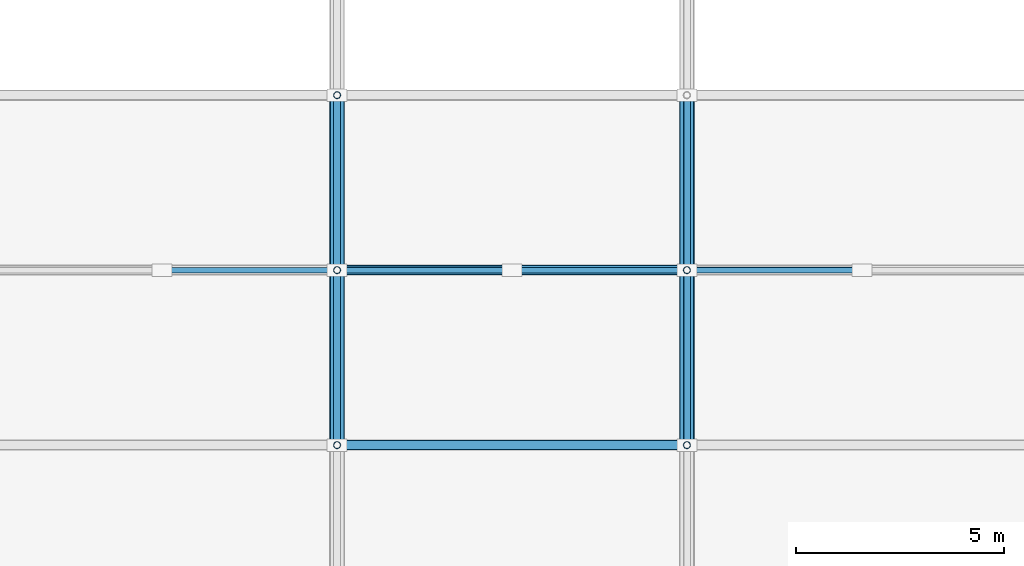
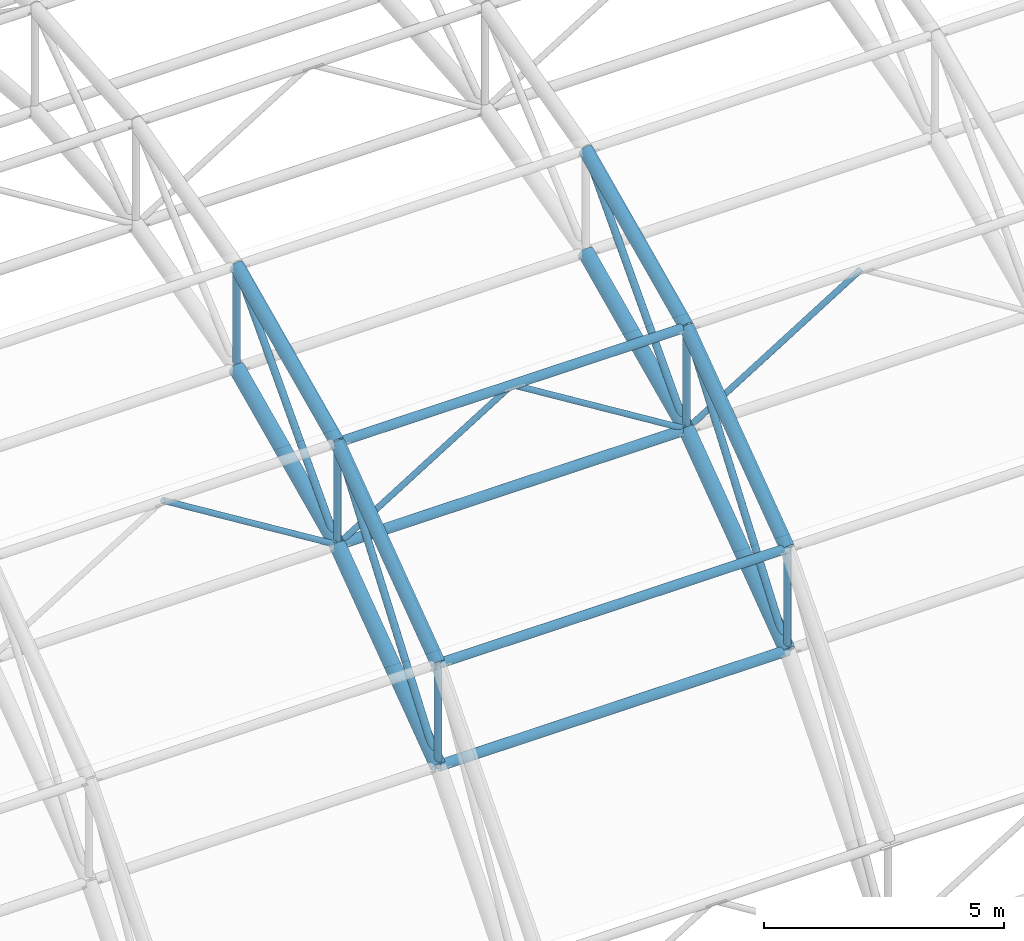
# One storey, part 23 of 103: 17 members, 8 beams.
"""IFC4 building model written with IfcOpenShell, lengths in metres."""

from ifc_helpers import new_model, si_unit, direction, frame, origin, origin_2d, place, context, subcontext, project, spatial, hollow_circle, extrude, material, material_profile, profile_set, type_object, element, save


model = new_model("IFC4")

# Units and contexts
model_context = context("Model", 3, precision=1e-05, world=origin(), true_north=direction((0.0, 1.0)))
body_context = subcontext(model_context, "Body", "Model", "MODEL_VIEW")
ifc_project = project(units=[si_unit("LENGTHUNIT", "METRE"), si_unit("AREAUNIT", "SQUARE_METRE"), si_unit("VOLUMEUNIT", "CUBIC_METRE"), si_unit("PLANEANGLEUNIT", "RADIAN"), si_unit("MASSUNIT", "GRAM", prefix="KILO")], contexts=[model_context])

# Site, building, storey
site_placement = place(None, origin())
site = spatial("IfcSite", under=ifc_project, at=site_placement, CompositionType="ELEMENT")
building_placement = place(site_placement, origin())
building = spatial("IfcBuilding", under=site, at=building_placement, Name="Varnapada Polytechnic", CompositionType="ELEMENT")
storey_placement = place(building_placement, frame((0.0, 0.0, 18.0)))
storey = spatial("IfcBuildingStorey", under=building, at=storey_placement, Name="L04", CompositionType="ELEMENT", Elevation=18.0)

# Members
ifc_material = material(Name="Steel S355", Category="steel")
ifc_material_profile_1 = material_profile(ifc_material, hollow_circle(Radius=0.122314453125, WallThickness=0.008056640625, at=origin_2d()), Name="CHS 244.5x8.0")
ifc_profile_set_1 = profile_set([ifc_material_profile_1], Name="Steel S355")
member_type_1 = type_object("IfcMemberType", Name="Vaulted space frame longitudinal bottom chord SFC-01 (CHS 244.5x8.0)", PredefinedType="CHORD", material=ifc_profile_set_1)
for number, where, z_axis, x_axis, name in (
    (1, (67.199951171875, 88.199951171875, 4.94921875), (1.0, 0.0, 0.0), (0.0, 1.0, 0.0), "Vaulted space frame longitudinal bottom chord 3.2"),
    (2, (67.199951171875, 92.39990234375, 8.02783203125), (1.0, 0.0, 0.0), (0.0, 1.0, 0.0), "Vaulted space frame longitudinal bottom chord 3.3"),
):
    element("IfcMember", number, at=place(storey_placement, frame(where, z_axis=z_axis, x_axis=x_axis)), inside=storey, type_object=member_type_1, Name=name, PredefinedType="CHORD", context=body_context, shape_type="SweptSolid", body=[
        extrude(hollow_circle(Radius=0.122314453125, WallThickness=0.008056640625, at=origin_2d()), origin(), (0.0, 0.0, 1.0), 8.400146484375),
    ])
ifc_material_profile_2 = material_profile(ifc_material, hollow_circle(Radius=0.109619140625, WallThickness=0.008056640625, at=origin_2d()), Name="CHS 219.1x8.0")
ifc_profile_set_2 = profile_set([ifc_material_profile_2], Name="Steel S355")
member_type_2 = type_object("IfcMemberType", Name="Vaulted space frame longitudinal top chord SFC-02 (CHS 219.1x8.0)", PredefinedType="CHORD", material=ifc_profile_set_2)
for number, where, z_axis, x_axis, name in (
    (3, (67.199951171875, 88.199951171875, 7.549072265625), (1.0, 0.0, 0.0), (0.0, 1.0, 0.0), "Vaulted space frame longitudinal top chord 3.2"),
    (4, (67.199951171875, 92.39990234375, 10.6279296875), (1.0, 0.0, 0.0), (0.0, 1.0, 0.0), "Vaulted space frame longitudinal top chord 3.3"),
):
    element("IfcMember", number, at=place(storey_placement, frame(where, z_axis=z_axis, x_axis=x_axis)), inside=storey, type_object=member_type_2, Name=name, PredefinedType="CHORD", context=body_context, shape_type="SweptSolid", body=[
        extrude(hollow_circle(Radius=0.109619140625, WallThickness=0.008056640625, at=origin_2d()), origin(), (0.0, 0.0, 1.0), 8.400146484375),
    ])

# Beams
ifc_material_profile_3 = material_profile(ifc_material, hollow_circle(Radius=0.177734375, WallThickness=0.012451171875, at=origin_2d()), Name="CHS 355.6x12.5")
ifc_profile_set_3 = profile_set([ifc_material_profile_3], Name="Steel S355")
beam_type_1 = type_object("IfcBeamType", Name="Vaulted space frame primary arch rib VA-01 (CHS 355.6x12.5)", PredefinedType="BEAM", material=ifc_profile_set_3)
beam_1_placement = place(storey_placement, frame((67.199951171875, 88.199951171875, 4.94921875), z_axis=(0.0, 0.806528689778, 0.591194953095), x_axis=(-1.0, 0.0, 0.0)))
element("IfcBeam", 5, at=beam_1_placement, inside=storey, type_object=beam_type_1, Name="Vaulted space frame bottom arch chord 3.2", PredefinedType="BEAM", context=body_context, shape_type="SweptSolid", body=[
    extrude(hollow_circle(Radius=0.177734375, WallThickness=0.012451171875, at=origin_2d()), origin(), (0.0, 0.0, 1.0), 5.20751953125),
])
beam_2_placement = place(storey_placement, frame((67.199951171875, 92.39990234375, 8.02783203125), z_axis=(0.0, 0.906677989805, 0.421823449802), x_axis=(-1.0, 0.0, 0.0)))
element("IfcBeam", 6, at=beam_2_placement, inside=storey, type_object=beam_type_1, Name="Vaulted space frame bottom arch chord 3.3", PredefinedType="BEAM", context=body_context, shape_type="SweptSolid", body=[
    extrude(hollow_circle(Radius=0.177734375, WallThickness=0.012451171875, at=origin_2d()), origin(), (0.0, 0.0, 1.0), 4.632568359375),
])
beam_3_placement = place(storey_placement, frame((75.60009765625, 88.199951171875, 4.94921875), z_axis=(0.0, 0.806528689778, 0.591194953095), x_axis=(-1.0, 0.0, 0.0)))
element("IfcBeam", 7, at=beam_3_placement, inside=storey, type_object=beam_type_1, Name="Vaulted space frame bottom arch chord 4.2", PredefinedType="BEAM", context=body_context, shape_type="SweptSolid", body=[
    extrude(hollow_circle(Radius=0.177734375, WallThickness=0.012451171875, at=origin_2d()), origin(), (0.0, 0.0, 1.0), 5.20751953125),
])
beam_4_placement = place(storey_placement, frame((75.60009765625, 92.39990234375, 8.02783203125), z_axis=(0.0, 0.906677989805, 0.421823449802), x_axis=(-1.0, 0.0, 0.0)))
element("IfcBeam", 8, at=beam_4_placement, inside=storey, type_object=beam_type_1, Name="Vaulted space frame bottom arch chord 4.3", PredefinedType="BEAM", context=body_context, shape_type="SweptSolid", body=[
    extrude(hollow_circle(Radius=0.177734375, WallThickness=0.012451171875, at=origin_2d()), origin(), (0.0, 0.0, 1.0), 4.632568359375),
])

# Members
ifc_material_profile_4 = material_profile(ifc_material, hollow_circle(Radius=0.084228515625, WallThickness=0.00634765625, at=origin_2d()), Name="CHS 168.3x6.3")
ifc_profile_set_4 = profile_set([ifc_material_profile_4], Name="Steel S355")
member_type_3 = type_object("IfcMemberType", Name="Vaulted space frame primary web diagonal SFB-01 (CHS 168.3x6.3)", PredefinedType="BRACE", material=ifc_profile_set_4)
member_1_placement = place(storey_placement, frame((67.199951171875, 88.199951171875, 4.94921875), z_axis=(0.0, 0.594633036041, 0.803997234105), x_axis=(-1.0, 0.0, 0.0)))
element("IfcMember", 9, at=member_1_placement, inside=storey, type_object=member_type_3, Name="Vaulted space frame web diagonal 3.2", PredefinedType="BRACE", context=body_context, shape_type="SweptSolid", body=[
    extrude(hollow_circle(Radius=0.084228515625, WallThickness=0.00634765625, at=origin_2d()), origin(), (0.0, 0.0, 1.0), 7.06298828125),
])
member_2_placement = place(storey_placement, frame((67.199951171875, 92.39990234375, 8.02783203125), z_axis=(0.0, 0.677978881407, 0.735081380777), x_axis=(-1.0, 0.0, 0.0)))
element("IfcMember", 10, at=member_2_placement, inside=storey, type_object=member_type_3, Name="Vaulted space frame web diagonal 3.3", PredefinedType="BRACE", context=body_context, shape_type="SweptSolid", body=[
    extrude(hollow_circle(Radius=0.084228515625, WallThickness=0.00634765625, at=origin_2d()), origin(), (0.0, 0.0, 1.0), 6.195068359375),
])
member_3_placement = place(storey_placement, frame((75.60009765625, 88.199951171875, 4.94921875), z_axis=(0.0, 0.594633036041, 0.803997234105), x_axis=(-1.0, 0.0, 0.0)))
element("IfcMember", 11, at=member_3_placement, inside=storey, type_object=member_type_3, Name="Vaulted space frame web diagonal 4.2", PredefinedType="BRACE", context=body_context, shape_type="SweptSolid", body=[
    extrude(hollow_circle(Radius=0.084228515625, WallThickness=0.00634765625, at=origin_2d()), origin(), (0.0, 0.0, 1.0), 7.06298828125),
])
member_4_placement = place(storey_placement, frame((75.60009765625, 92.39990234375, 8.02783203125), z_axis=(0.0, 0.677978881407, 0.735081380777), x_axis=(-1.0, 0.0, 0.0)))
element("IfcMember", 12, at=member_4_placement, inside=storey, type_object=member_type_3, Name="Vaulted space frame web diagonal 4.3", PredefinedType="BRACE", context=body_context, shape_type="SweptSolid", body=[
    extrude(hollow_circle(Radius=0.084228515625, WallThickness=0.00634765625, at=origin_2d()), origin(), (0.0, 0.0, 1.0), 6.195068359375),
])
ifc_material_profile_5 = material_profile(ifc_material, hollow_circle(Radius=0.084228515625, WallThickness=0.00634765625, at=origin_2d()), Name="CHS 168.3x6.3")
ifc_profile_set_5 = profile_set([ifc_material_profile_5], Name="Steel S355")
member_type_4 = type_object("IfcMemberType", Name="Vaulted space frame radial web strut SFS-01 (CHS 168.3x6.3)", PredefinedType="STRUT", material=ifc_profile_set_5)
member_5_placement = place(storey_placement, frame((67.199951171875, 88.199951171875, 4.94921875), z_axis=(0.0, 0.0, 1.0), x_axis=(1.0, 0.0, 0.0)))
element("IfcMember", 13, at=member_5_placement, inside=storey, type_object=member_type_4, Name="Vaulted space frame strut 3.2", PredefinedType="STRUT", context=body_context, shape_type="SweptSolid", body=[
    extrude(hollow_circle(Radius=0.084228515625, WallThickness=0.00634765625, at=origin_2d()), origin(), (0.0, 0.0, 1.0), 2.599853515625),
])
member_6_placement = place(storey_placement, frame((67.199951171875, 92.39990234375, 8.02783203125), z_axis=(0.0, 0.0, 1.0), x_axis=(1.0, 0.0, 0.0)))
element("IfcMember", 14, at=member_6_placement, inside=storey, type_object=member_type_4, Name="Vaulted space frame strut 3.3", PredefinedType="STRUT", context=body_context, shape_type="SweptSolid", body=[
    extrude(hollow_circle(Radius=0.084228515625, WallThickness=0.00634765625, at=origin_2d()), origin(), (0.0, 0.0, 1.0), 2.60009765625),
])
for number, where, z_axis, x_axis, name in (
    (15, (67.199951171875, 96.60009765625, 9.98193359375), (0.0, 0.0, 1.0), (1.0, 0.0, 0.0), "Vaulted space frame strut 3.4"),
    (16, (75.60009765625, 88.199951171875, 4.94921875), (0.0, 0.0, 1.0), (1.0, 0.0, 0.0), "Vaulted space frame strut 4.2"),
):
    element("IfcMember", number, at=place(storey_placement, frame(where, z_axis=z_axis, x_axis=x_axis)), inside=storey, type_object=member_type_4, Name=name, PredefinedType="STRUT", context=body_context, shape_type="SweptSolid", body=[
        extrude(hollow_circle(Radius=0.084228515625, WallThickness=0.00634765625, at=origin_2d()), origin(), (0.0, 0.0, 1.0), 2.599853515625),
    ])
member_7_placement = place(storey_placement, frame((75.60009765625, 92.39990234375, 8.02783203125), z_axis=(0.0, 0.0, 1.0), x_axis=(1.0, 0.0, 0.0)))
element("IfcMember", 17, at=member_7_placement, inside=storey, type_object=member_type_4, Name="Vaulted space frame strut 4.3", PredefinedType="STRUT", context=body_context, shape_type="SweptSolid", body=[
    extrude(hollow_circle(Radius=0.084228515625, WallThickness=0.00634765625, at=origin_2d()), origin(), (0.0, 0.0, 1.0), 2.60009765625),
])
ifc_material_profile_6 = material_profile(ifc_material, hollow_circle(Radius=0.06982421875, WallThickness=0.0048828125, at=origin_2d()), Name="CHS 139.7x5.0")
ifc_profile_set_6 = profile_set([ifc_material_profile_6], Name="Steel S355")
member_type_5 = type_object("IfcMemberType", Name="Vaulted space frame secondary web diagonal SFB-02 (CHS 139.7x5.0)", PredefinedType="BRACE", material=ifc_profile_set_6)
for number, where, z_axis, x_axis, name in (
    (18, (67.199951171875, 92.39990234375, 8.02783203125), (-0.85025356003, 0.0, 0.526373331065), (0.0, -1.0, 0.0), "Vaulted space frame longitudinal brace 2.3B"),
    (19, (67.199951171875, 92.39990234375, 8.02783203125), (0.85025356003, 0.0, 0.526373331065), (0.0, 1.0, 0.0), "Vaulted space frame longitudinal brace 3.3A"),
):
    element("IfcMember", number, at=place(storey_placement, frame(where, z_axis=z_axis, x_axis=x_axis)), inside=storey, type_object=member_type_5, Name=name, PredefinedType="BRACE", context=body_context, shape_type="SweptSolid", body=[
        extrude(hollow_circle(Radius=0.06982421875, WallThickness=0.0048828125, at=origin_2d()), origin(), (0.0, 0.0, 1.0), 4.939697265625),
    ])
member_8_placement = place(storey_placement, frame((75.60009765625, 92.39990234375, 8.02783203125), z_axis=(-0.85026725322, 0.0, 0.526351211741), x_axis=(0.0, -1.0, 0.0)))
element("IfcMember", 20, at=member_8_placement, inside=storey, type_object=member_type_5, Name="Vaulted space frame longitudinal brace 3.3B", PredefinedType="BRACE", context=body_context, shape_type="SweptSolid", body=[
    extrude(hollow_circle(Radius=0.06982421875, WallThickness=0.0048828125, at=origin_2d()), origin(), (0.0, 0.0, 1.0), 4.93994140625),
])
member_9_placement = place(storey_placement, frame((75.60009765625, 92.39990234375, 8.02783203125), z_axis=(0.85025356003, 0.0, 0.526373331065), x_axis=(0.0, 1.0, 0.0)))
element("IfcMember", 21, at=member_9_placement, inside=storey, type_object=member_type_5, Name="Vaulted space frame longitudinal brace 4.3A", PredefinedType="BRACE", context=body_context, shape_type="SweptSolid", body=[
    extrude(hollow_circle(Radius=0.06982421875, WallThickness=0.0048828125, at=origin_2d()), origin(), (0.0, 0.0, 1.0), 4.939697265625),
])

# Beams
ifc_material_profile_7 = material_profile(ifc_material, hollow_circle(Radius=0.161865234375, WallThickness=0.010009765625, at=origin_2d()), Name="CHS 323.9x10.0")
ifc_profile_set_7 = profile_set([ifc_material_profile_7], Name="Steel S355")
beam_type_2 = type_object("IfcBeamType", Name="Vaulted space frame upper arch rib VA-02 (CHS 323.9x10.0)", PredefinedType="BEAM", material=ifc_profile_set_7)
beam_5_placement = place(storey_placement, frame((67.199951171875, 88.199951171875, 7.549072265625), z_axis=(0.0, 0.806506335259, 0.591225448698), x_axis=(-1.0, 0.0, 0.0)))
element("IfcBeam", 22, at=beam_5_placement, inside=storey, type_object=beam_type_2, Name="Vaulted space frame top arch chord 3.2", PredefinedType="BEAM", context=body_context, shape_type="SweptSolid", body=[
    extrude(hollow_circle(Radius=0.161865234375, WallThickness=0.010009765625, at=origin_2d()), origin(), (0.0, 0.0, 1.0), 5.20751953125),
])
beam_6_placement = place(storey_placement, frame((67.199951171875, 92.39990234375, 10.6279296875), z_axis=(0.0, 0.906698145361, 0.421780124234), x_axis=(-1.0, 0.0, 0.0)))
element("IfcBeam", 23, at=beam_6_placement, inside=storey, type_object=beam_type_2, Name="Vaulted space frame top arch chord 3.3", PredefinedType="BEAM", context=body_context, shape_type="SweptSolid", body=[
    extrude(hollow_circle(Radius=0.161865234375, WallThickness=0.010009765625, at=origin_2d()), origin(), (0.0, 0.0, 1.0), 4.63232421875),
])
beam_7_placement = place(storey_placement, frame((75.60009765625, 88.199951171875, 7.549072265625), z_axis=(0.0, 0.806506335259, 0.591225448698), x_axis=(-1.0, 0.0, 0.0)))
element("IfcBeam", 24, at=beam_7_placement, inside=storey, type_object=beam_type_2, Name="Vaulted space frame top arch chord 4.2", PredefinedType="BEAM", context=body_context, shape_type="SweptSolid", body=[
    extrude(hollow_circle(Radius=0.161865234375, WallThickness=0.010009765625, at=origin_2d()), origin(), (0.0, 0.0, 1.0), 5.20751953125),
])
beam_8_placement = place(storey_placement, frame((75.60009765625, 92.39990234375, 10.6279296875), z_axis=(0.0, 0.906698145361, 0.421780124234), x_axis=(-1.0, 0.0, 0.0)))
element("IfcBeam", 25, at=beam_8_placement, inside=storey, type_object=beam_type_2, Name="Vaulted space frame top arch chord 4.3", PredefinedType="BEAM", context=body_context, shape_type="SweptSolid", body=[
    extrude(hollow_circle(Radius=0.161865234375, WallThickness=0.010009765625, at=origin_2d()), origin(), (0.0, 0.0, 1.0), 4.63232421875),
])

save(model, "model.ifc")
